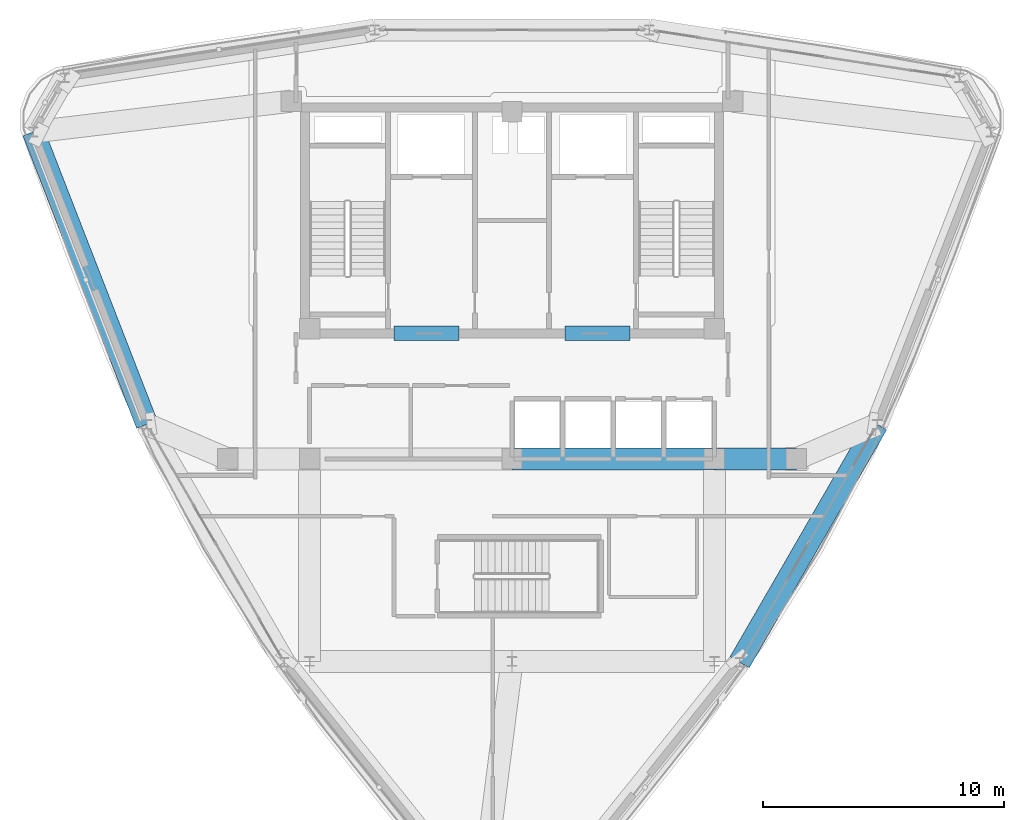
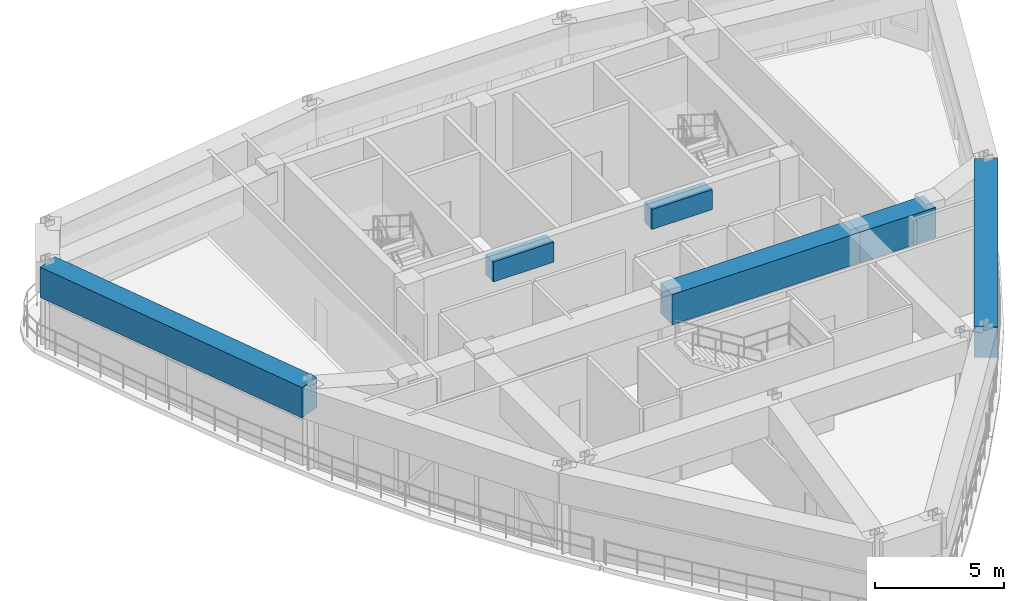
# One storey, part 6 of 18: 6 beams.
"""IFC4 building model written with IfcOpenShell, lengths in metres."""

from ifc_helpers import new_model, si_unit, derived_unit, direction, frame, origin, origin_2d, place, context, subcontext, project, spatial, rectangle, extrude, source, transform, mapped, material, material_profile, profile_set, type_object, element, save


model = new_model("IFC4")

# Units and contexts
model_context = context("Model", 3, precision=1e-05, world=origin(), true_north=direction((0.0, 1.0)))
body_context = subcontext(model_context, "Body", "Model", "MODEL_VIEW")
ifc_project = project(units=[si_unit("LENGTHUNIT", "METRE"), si_unit("AREAUNIT", "SQUARE_METRE"), si_unit("VOLUMEUNIT", "CUBIC_METRE"), si_unit("PLANEANGLEUNIT", "RADIAN"), si_unit("MASSUNIT", "GRAM", prefix="KILO"), derived_unit("THERMALTRANSMITTANCEUNIT", [(si_unit("POWERUNIT", "WATT"), 1), (si_unit("LENGTHUNIT", "METRE"), -2), (si_unit("THERMODYNAMICTEMPERATUREUNIT", "KELVIN"), -1)])], contexts=[model_context])

# Site, building, storey
site_placement = place(None, origin())
site = spatial("IfcSite", under=ifc_project, at=site_placement, CompositionType="ELEMENT")
building_placement = place(site_placement, origin())
building = spatial("IfcBuilding", under=site, at=building_placement, Name="Korsvarv Bourse and Concert Hall", CompositionType="ELEMENT")
storey_placement = place(building_placement, frame((0.0, 0.0, 275.39990234375)))
storey = spatial("IfcBuildingStorey", under=building, at=storey_placement, Name="L72", CompositionType="ELEMENT", Elevation=275.39990234375)

# Beams
ifc_material_1 = material(Name="Concrete C55/67", Category="concrete")
ifc_material_profile_1 = material_profile(ifc_material_1, rectangle(XDim=0.60009765625, YDim=0.949951171875, at=origin_2d()), Name="RC-BM 600x950")
ifc_profile_set_1 = profile_set([ifc_material_profile_1], Name="Concrete C55/67")
beam_type_1 = type_object("IfcBeamType", Name="BM-CPL", PredefinedType="LINTEL", material=ifc_profile_set_1)
shared_shape_1 = source(origin(), body_context, "Body", "SweptSolid", [
    extrude(rectangle(XDim=0.60009765625, YDim=0.949951171875, at=origin_2d()), origin(), (0.0, 0.0, 1.0), 2.699951171875),
])
for number, where, z_axis, x_axis, name in (
    (1, (31.10009765625, 37.610107421875, 3.485107421875), (1.0, 0.0, 0.0), (0.0, 1.0, 0.0), "L72 Core Coupling Beam West"),
    (2, (38.199951171875, 37.610107421875, 3.485107421875), (1.0, 0.0, 0.0), (0.0, 1.0, 0.0), "L72 Core Coupling Beam East"),
):
    element("IfcBeam", number, at=place(storey_placement, frame(where, z_axis=z_axis, x_axis=x_axis)), inside=storey, type_object=beam_type_1, Name=name, PredefinedType="LINTEL", context=body_context, shape_type="MappedRepresentation", body=[
        mapped(shared_shape_1, transform((0.0, 0.0, 0.0), scale=1.0)),
    ])
ifc_material_2 = material(Name="Concrete C50/60", Category="concrete")
ifc_material_profile_2 = material_profile(ifc_material_2, rectangle(XDim=0.919921875, YDim=1.43994140625, at=origin_2d()), Name="RC-BM 920x1440")
ifc_profile_set_2 = profile_set([ifc_material_profile_2], Name="Concrete C50/60")
beam_type_2 = type_object("IfcBeamType", Name="BM-TR-144", PredefinedType="BEAM", material=ifc_profile_set_2)
shared_shape_2 = source(origin(), body_context, "Body", "SweptSolid", [
    extrude(rectangle(XDim=0.919921875, YDim=1.43994140625, at=origin_2d()), origin(), (0.0, 0.0, 1.0), 3.400146484375),
])
beam_1_placement = place(storey_placement, frame((44.39990234375, 32.39990234375, 3.239990234375), z_axis=(1.0, 0.0, 0.0), x_axis=(0.0, 1.0, 0.0)))
element("IfcBeam", 3, at=beam_1_placement, inside=storey, type_object=beam_type_2, Name="L72 beam B-TR4", PredefinedType="BEAM", context=body_context, shape_type="MappedRepresentation", body=[
    mapped(shared_shape_2, transform((0.0, 0.0, 0.0), scale=1.0)),
])
shared_shape_3 = source(origin(), body_context, "Body", "SweptSolid", [
    extrude(rectangle(XDim=0.919921875, YDim=1.43994140625, at=origin_2d()), origin(), (0.0, 0.0, 1.0), 8.39990234375),
])
beam_2_placement = place(storey_placement, frame((36.0, 32.39990234375, 3.239990234375), z_axis=(1.0, 0.0, 0.0), x_axis=(0.0, 1.0, 0.0)))
element("IfcBeam", 4, at=beam_2_placement, inside=storey, type_object=beam_type_2, Name="L72 beam B-TR4", PredefinedType="BEAM", context=body_context, shape_type="MappedRepresentation", body=[
    mapped(shared_shape_3, transform((0.0, 0.0, 0.0), scale=1.0)),
])
shared_shape_4 = source(origin(), body_context, "Body", "SweptSolid", [
    extrude(rectangle(XDim=0.919921875, YDim=1.43994140625, at=origin_2d()), origin(), (0.0, 0.0, 1.0), 13.0166015625),
])
beam_3_placement = place(storey_placement, frame((16.13671875, 45.9677734375, 3.239990234375), z_axis=(0.362331307837, -0.932049367448, 0.0), x_axis=(0.932049367448, 0.362331307837, 0.0)))
element("IfcBeam", 5, at=beam_3_placement, inside=storey, type_object=beam_type_2, Name="L72 beam B-TR4", PredefinedType="BEAM", context=body_context, shape_type="MappedRepresentation", body=[
    mapped(shared_shape_4, transform((0.0, 0.0, 0.0), scale=1.0)),
])
shared_shape_5 = source(origin(), body_context, "Body", "SweptSolid", [
    extrude(rectangle(XDim=0.919921875, YDim=1.43994140625, at=origin_2d()), origin(), (0.0, 0.0, 1.0), 11.398193359375),
])
beam_4_placement = place(storey_placement, frame((45.44775390625, 23.964599609375, 3.239990234375), z_axis=(0.500009219579, 0.866020080793, 0.0), x_axis=(-0.866020080793, 0.500009219579, 0.0)))
element("IfcBeam", 6, at=beam_4_placement, inside=storey, type_object=beam_type_2, Name="L72 beam B-TR4", PredefinedType="BEAM", context=body_context, shape_type="MappedRepresentation", body=[
    mapped(shared_shape_5, transform((0.0, 0.0, 0.0), scale=1.0)),
])

save(model, "model.ifc")
